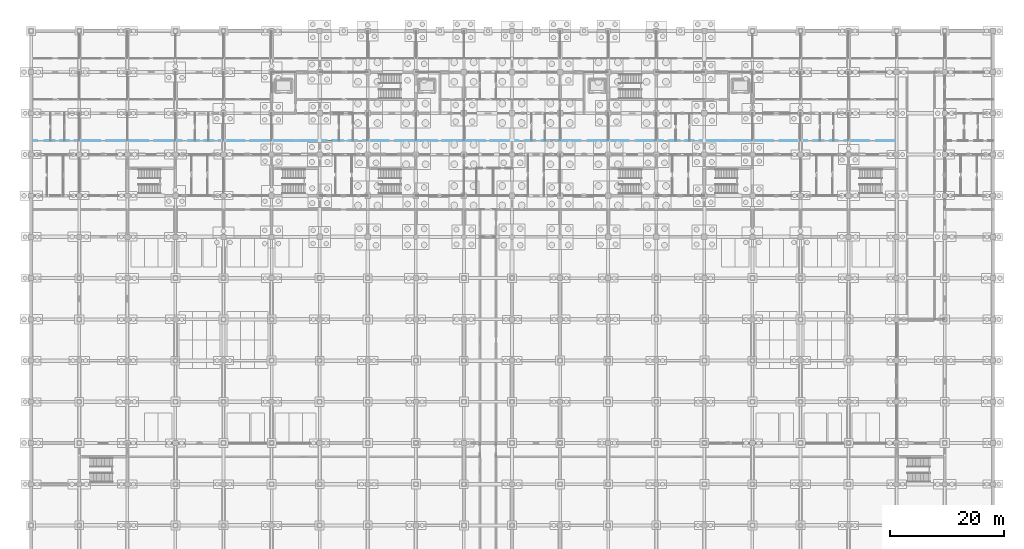
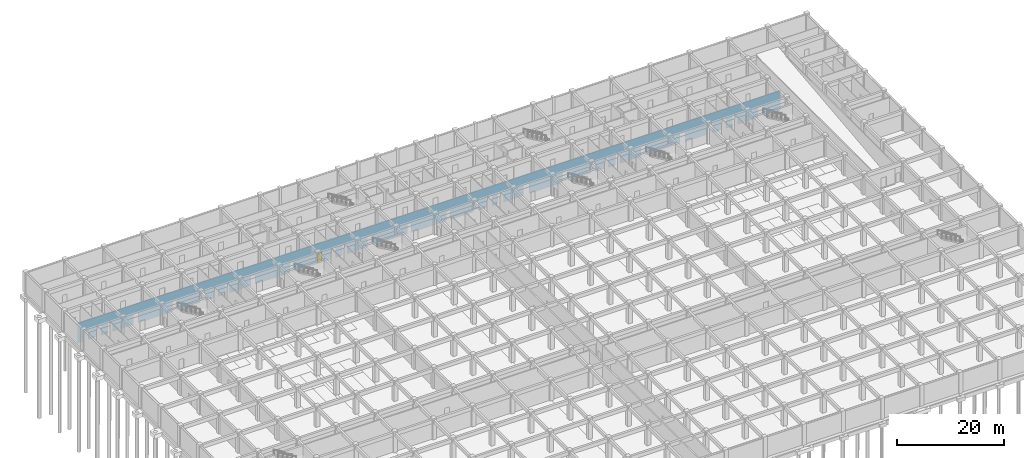
# One storey, part 51 of 85: 1 door, 30 openings, plus 1 element that does not belong to this part.
"""IFC4 building model written with IfcOpenShell, lengths in metres."""

import ifcopenshell
import ifcopenshell.guid

model = None  # the IFC model being written
_history = None  # IfcOwnerHistory: only IFC2X3 demands one
_inside = {}  # id of a spatial element -> (the spatial element, [elements in it])
_under = {}  # id of a project, library or spatial element -> (it, [spatial elements below it])
_declared = {}  # id of a project -> (the project, [libraries it declares])
_typed = {}  # id of a type object -> (the type object, [elements of that type])
_made_of = {}  # id of a material, layer set ... -> (it, [elements and type objects made of it])


def new_model(schema):
    """Start an empty IFC model of exactly this schema.

    Asked for "IFC4X3", IfcOpenShell would pick the latest addendum, in which some entities
    have other attributes; the version numbers below select the first issue.
    IFC2X3 requires an IfcOwnerHistory on every rooted entity: one is made here for all.
    """
    global model, _history
    if schema == "IFC4X3":
        model = ifcopenshell.file(schema_version=(4, 3, 0, 0))
    else:
        model = ifcopenshell.file(schema=schema)
    _inside.clear()
    _under.clear()
    _declared.clear()
    _typed.clear()
    _made_of.clear()
    _history = None
    if model.schema == "IFC2X3":
        org = make("IfcOrganization", Name="unknown")
        user = make(
            "IfcPersonAndOrganization",
            ThePerson=make("IfcPerson", FamilyName="unknown"),
            TheOrganization=org,
        )
        app = make(
            "IfcApplication",
            ApplicationDeveloper=org,
            Version="unknown",
            ApplicationFullName="unknown",
            ApplicationIdentifier="unknown",
        )
        _history = make(
            "IfcOwnerHistory",
            OwningUser=user,
            OwningApplication=app,
            ChangeAction="ADDED",
            CreationDate=0,
        )
    return model


def make(cls, **values):
    """One entity of the class cls with the attributes given. An attribute that is None is left unset."""
    return model.create_entity(
        cls, **{name: value for name, value in values.items() if value is not None}
    )


def rooted(cls, **values):
    """An entity with a GlobalId (a new one), such as an element, a storey or a relation."""
    return make(cls, GlobalId=ifcopenshell.guid.new(), OwnerHistory=_history, **values)


def si_unit(unit_type, name, prefix=None):
    """IfcSIUnit, for example si_unit("LENGTHUNIT", "METRE", prefix="MILLI")."""
    return make("IfcSIUnit", UnitType=unit_type, Prefix=prefix, Name=name)


def assignment(units):
    """IfcUnitAssignment: the units of a project."""
    return None if units is None else make("IfcUnitAssignment", Units=units)


def point(xyz):
    """IfcCartesianPoint."""
    return None if xyz is None else make("IfcCartesianPoint", Coordinates=xyz)


def direction(xyz):
    """IfcDirection."""
    return None if xyz is None else make("IfcDirection", DirectionRatios=xyz)


def frame(location, z_axis=None, x_axis=None):
    """IfcAxis2Placement3D, a coordinate frame: its origin and axes. An axis left out is left unset."""
    return make(
        "IfcAxis2Placement3D",
        Location=point(location),
        Axis=direction(z_axis),
        RefDirection=direction(x_axis),
    )


def frame_2d(location, x_axis=None):
    """IfcAxis2Placement2D, a coordinate frame in the plane: its origin and x axis."""
    return make(
        "IfcAxis2Placement2D", Location=point(location), RefDirection=direction(x_axis)
    )


def origin():
    """The frame at (0, 0, 0) with its axes left unset."""
    return frame((0.0, 0.0, 0.0))


def place(relative_to, where):
    """IfcLocalPlacement: puts the frame where relative to a parent placement (None: the world)."""
    return make(
        "IfcLocalPlacement", PlacementRelTo=relative_to, RelativePlacement=where
    )


def context(
    kind, dimensions, precision=None, world=None, true_north=None, identifier=None
):
    """IfcGeometricRepresentationContext, for example the 3D "Model" context."""
    return make(
        "IfcGeometricRepresentationContext",
        ContextIdentifier=identifier,
        ContextType=kind,
        CoordinateSpaceDimension=dimensions,
        Precision=precision,
        WorldCoordinateSystem=world,
        TrueNorth=true_north,
    )


def subcontext(parent, identifier, kind, view, scale=None):
    """IfcGeometricRepresentationSubContext, for example "Body" below "Model"."""
    return make(
        "IfcGeometricRepresentationSubContext",
        ContextIdentifier=identifier,
        ContextType=kind,
        ParentContext=parent,
        TargetScale=scale,
        TargetView=view,
    )


def project(units=None, contexts=None):
    """IfcProject with its units and contexts."""
    return rooted(
        "IfcProject",
        Name="project",
        RepresentationContexts=contexts,
        UnitsInContext=assignment(units),
    )


def spatial(cls, under=None, at=None, **own):
    """A site, building, storey or space (cls), placed at a placement, below another one or the project."""
    s = rooted(cls, ObjectPlacement=at, **own)
    if under is not None:
        _under.setdefault(under.id(), (under, []))[1].append(s)
    return s


def profile(cls, at=None, kind="AREA", **sizes):
    """A parametric profile (cls). Its sizes go by their IFC names, for example OverallWidth=200.0."""
    return make(cls, ProfileType=kind, Position=at, **sizes)


def rectangle(**sizes):
    """IfcRectangleProfileDef."""
    return profile("IfcRectangleProfileDef", **sizes)


def extrude(swept, where, along, depth):
    """IfcExtrudedAreaSolid: the profile swept, set in the frame where, extruded along a direction by depth."""
    return make(
        "IfcExtrudedAreaSolid",
        SweptArea=swept,
        Position=where,
        ExtrudedDirection=direction(along),
        Depth=depth,
    )


def shape(context_of_items, identifier, shape_type, items):
    """IfcShapeRepresentation: the items that make up one representation, for example the "Body"."""
    return make(
        "IfcShapeRepresentation",
        ContextOfItems=context_of_items,
        RepresentationIdentifier=identifier,
        RepresentationType=shape_type,
        Items=items,
    )


def material(Name=None, Category=None):
    """IfcMaterial."""
    return make("IfcMaterial", Name=Name, Category=Category)


def layer(
    of_material, thickness, ventilated=None, Name=None, Category=None, Priority=None
):
    """IfcMaterialLayer: one layer of a wall or slab, of a material (None: an air gap)."""
    return make(
        "IfcMaterialLayer",
        Material=of_material,
        LayerThickness=thickness,
        IsVentilated=ventilated,
        Name=Name,
        Category=Category,
        Priority=Priority,
    )


def layer_set(layers, Name=None):
    """IfcMaterialLayerSet."""
    return make("IfcMaterialLayerSet", MaterialLayers=layers, LayerSetName=Name)


def made_of(thing, what):
    """Note that an element or type object is made of a material, layer set ...; save() writes the relation."""
    if what is not None:
        _made_of.setdefault(what.id(), (what, []))[1].append(thing)
    return thing


def type_object(cls, material=None, **own):
    """A type object (cls), such as IfcWallType, which elements share."""
    return made_of(rooted(cls, **own), material)


def element(
    cls,
    number,
    at=None,
    inside=None,
    cuts=None,
    type_object=None,
    material=None,
    context=None,
    identifier="Body",
    shape_type=None,
    held_by="IfcProductDefinitionShape",
    body=None,
    shapes=None,
    **own,
):
    """One element of the class cls, such as IfcWall. Its Tag is "e" and its number.

    at: its placement. inside: the storey or other place that contains it. cuts: it is an
    opening in that element (IfcRelVoidsElement). A single representation is given by context,
    identifier, shape_type and body (its items); several are given by shapes. held_by: the class
    of the entity that holds the representations. save() writes the other relations.
    """
    e = rooted(cls, Tag="e%d" % number, ObjectPlacement=at, **own)
    if body is not None:
        shapes = [shape(context, identifier, shape_type, body)]
    if shapes is not None:
        e.Representation = make(held_by, Representations=shapes)
    if inside is not None:
        _inside.setdefault(inside.id(), (inside, []))[1].append(e)
    if cuts is not None:
        rooted(
            "IfcRelVoidsElement", RelatingBuildingElement=cuts, RelatedOpeningElement=e
        )
    if type_object is not None:
        _typed.setdefault(type_object.id(), (type_object, []))[1].append(e)
    return made_of(e, material)


def fill(opening, filler):
    """IfcRelFillsElement: the door or window that sits in an opening."""
    return rooted(
        "IfcRelFillsElement",
        RelatingOpeningElement=opening,
        RelatedBuildingElement=filler,
    )


def aggregate(whole, parts):
    """IfcRelAggregates: a whole, such as a stair, and the parts it consists of."""
    return rooted("IfcRelAggregates", RelatingObject=whole, RelatedObjects=parts)


def save(model, path):
    """Write the relations noted so far, then the file.

    IfcRelAggregates (storeys below a building ...), IfcRelContainedInSpatialStructure (elements
    in a storey), IfcRelDefinesByType, IfcRelAssociatesMaterial and IfcRelDeclares: one each for
    every whole, place, type object, material and project.
    """
    for whole, parts in _under.values():
        aggregate(whole, parts)
    for where, things in _inside.values():
        rooted(
            "IfcRelContainedInSpatialStructure",
            RelatedElements=things,
            RelatingStructure=where,
        )
    for kind, things in _typed.values():
        rooted("IfcRelDefinesByType", RelatedObjects=things, RelatingType=kind)
    for what, things in _made_of.values():
        rooted("IfcRelAssociatesMaterial", RelatedObjects=things, RelatingMaterial=what)
    for by, libraries in _declared.values():
        rooted("IfcRelDeclares", RelatingContext=by, RelatedDefinitions=libraries)
    model.write(path)


model = new_model("IFC4")

# Units and contexts
model_context = context("Model", 3, precision=1e-05, world=origin(), true_north=direction((0.0, 1.0)))
body_context = subcontext(model_context, "Body", "Model", "MODEL_VIEW")
ifc_project = project(units=[si_unit("LENGTHUNIT", "METRE"), si_unit("AREAUNIT", "SQUARE_METRE"), si_unit("VOLUMEUNIT", "CUBIC_METRE"), si_unit("PLANEANGLEUNIT", "RADIAN"), si_unit("MASSUNIT", "GRAM", prefix="KILO")], contexts=[model_context])

# Site, building, storey
site_placement = place(None, origin())
site = spatial("IfcSite", under=ifc_project, at=site_placement, CompositionType="ELEMENT")
building_placement = place(site_placement, origin())
building = spatial("IfcBuilding", under=site, at=building_placement, Name="Chengyuan Square Courthouse", CompositionType="ELEMENT")
storey_placement = place(building_placement, frame((0.0, 0.0, -10.199951171875)))
storey = spatial("IfcBuildingStorey", under=building, at=storey_placement, Name="B02", CompositionType="ELEMENT", Elevation=-10.199951171875)

# Wall, openings, door
ifc_material_1 = material(Name="Gypsum Plasterboard Acoustic Stud Partition")
ifc_layer = layer(ifc_material_1, 0.10009765625)
ifc_layer_set = layer_set([ifc_layer], Name="Gypsum Plasterboard Acoustic Stud Partition")
wall_type = type_object("IfcWallType", Name="WL-PT6", PredefinedType="STANDARD", material=ifc_layer_set)
wall_placement = place(storey_placement, frame((0.0400390625, 96.0, 0.0), z_axis=(0.0, 0.0, 1.0), x_axis=(1.0, 0.0, 0.0)))
wall = element("IfcWall", 1, at=wall_placement, inside=storey, type_object=wall_type, Name="Interior Wall WL-B02-I062", PredefinedType="STANDARD", context=body_context, shape_type="SweptSolid", body=[
    extrude(rectangle(XDim=151.159912109375, YDim=0.10009765625, at=frame_2d((75.580078125, 0.0))), origin(), (0.0, 0.0, 1.0), 4.47998046875),
])
opening_1_placement = place(wall_placement, frame((1.0400390625, 0.0, 0.0)))
element("IfcOpeningElement", 2, at=opening_1_placement, cuts=wall, Name="Opening DR-148", PredefinedType="OPENING", context=body_context, shape_type="SweptSolid", body=[
    extrude(rectangle(XDim=1.280029296875, YDim=2.35009765625, at=frame_2d((0.64013671875, 1.175048828125))), frame((0.0, 0.06201171875, 0.0), z_axis=(0.0, -1.0, 0.0), x_axis=(1.0, 0.0, 0.0)), (0.0, 0.0, 1.0), 0.1240234375),
])
opening_2_placement = place(wall_placement, frame((4.090087890625, 0.0, 0.0)))
element("IfcOpeningElement", 3, at=opening_2_placement, cuts=wall, Name="Opening DR-149", PredefinedType="OPENING", context=body_context, shape_type="SweptSolid", body=[
    extrude(rectangle(XDim=0.93994140625, YDim=2.300048828125, at=frame_2d((0.469970703125, 1.14990234375))), frame((0.0, 0.06201171875, 0.0), z_axis=(0.0, -1.0, 0.0), x_axis=(1.0, 0.0, 0.0)), (0.0, 0.0, 1.0), 0.1240234375),
])
opening_3_placement = place(wall_placement, frame((6.570068359375, 0.0, 0.0)))
element("IfcOpeningElement", 4, at=opening_3_placement, cuts=wall, Name="Opening DR-150", PredefinedType="OPENING", context=body_context, shape_type="SweptSolid", body=[
    extrude(rectangle(XDim=0.97998046875, YDim=2.35009765625, at=frame_2d((0.489990234375, 1.175048828125))), frame((0.0, 0.06201171875, 0.0), z_axis=(0.0, -1.0, 0.0), x_axis=(1.0, 0.0, 0.0)), (0.0, 0.0, 1.0), 0.1240234375),
])
opening_4_placement = place(wall_placement, frame((12.050048828125, 0.0, 0.0)))
element("IfcOpeningElement", 5, at=opening_4_placement, cuts=wall, Name="Opening DR-151", PredefinedType="OPENING", context=body_context, shape_type="SweptSolid", body=[
    extrude(rectangle(XDim=1.02001953125, YDim=2.39990234375, at=frame_2d((0.510009765625, 1.199951171875))), frame((0.0, 0.06201171875, 0.0), z_axis=(0.0, -1.0, 0.0), x_axis=(1.0, 0.0, 0.0)), (0.0, 0.0, 1.0), 0.1240234375),
])
opening_5_placement = place(wall_placement, frame((20.429931640625, 0.0, 0.0)))
element("IfcOpeningElement", 6, at=opening_5_placement, cuts=wall, Name="Opening DR-152", PredefinedType="OPENING", context=body_context, shape_type="SweptSolid", body=[
    extrude(rectangle(XDim=1.06005859375, YDim=2.39990234375, at=frame_2d((0.530029296875, 1.199951171875))), frame((0.0, 0.06201171875, 0.0), z_axis=(0.0, -1.0, 0.0), x_axis=(1.0, 0.0, 0.0)), (0.0, 0.0, 1.0), 0.1240234375),
])
opening_6_placement = place(wall_placement, frame((26.2900390625, 0.0, 0.0)))
element("IfcOpeningElement", 7, at=opening_6_placement, cuts=wall, Name="Opening DR-153", PredefinedType="OPENING", context=body_context, shape_type="SweptSolid", body=[
    extrude(rectangle(XDim=1.139892578125, YDim=2.39990234375, at=frame_2d((0.56982421875, 1.199951171875))), frame((0.0, 0.06201171875, 0.0), z_axis=(0.0, -1.0, 0.0), x_axis=(1.0, 0.0, 0.0)), (0.0, 0.0, 1.0), 0.1240234375),
])
opening_7_placement = place(wall_placement, frame((29.31005859375, 0.0, 0.0)))
element("IfcOpeningElement", 8, at=opening_7_placement, cuts=wall, Name="Opening DR-154", PredefinedType="OPENING", context=body_context, shape_type="SweptSolid", body=[
    extrude(rectangle(XDim=0.89990234375, YDim=2.14990234375, at=frame_2d((0.449951171875, 1.074951171875))), frame((0.0, 0.06201171875, 0.0), z_axis=(0.0, -1.0, 0.0), x_axis=(1.0, 0.0, 0.0)), (0.0, 0.0, 1.0), 0.1240234375),
])
opening_8_placement = place(wall_placement, frame((31.830078125, 0.0, 0.0)))
element("IfcOpeningElement", 9, at=opening_8_placement, cuts=wall, Name="Opening DR-155", PredefinedType="OPENING", context=body_context, shape_type="SweptSolid", body=[
    extrude(rectangle(XDim=0.860107421875, YDim=2.10009765625, at=frame_2d((0.43017578125, 1.050048828125))), frame((0.0, 0.06201171875, 0.0), z_axis=(0.0, -1.0, 0.0), x_axis=(1.0, 0.0, 0.0)), (0.0, 0.0, 1.0), 0.1240234375),
])
opening_9_placement = place(wall_placement, frame((37.300048828125, 0.0, 0.0)))
element("IfcOpeningElement", 10, at=opening_9_placement, cuts=wall, Name="Opening DR-156", PredefinedType="OPENING", context=body_context, shape_type="SweptSolid", body=[
    extrude(rectangle(XDim=0.919921875, YDim=2.14990234375, at=frame_2d((0.4599609375, 1.074951171875))), frame((0.0, 0.06201171875, 0.0), z_axis=(0.0, -1.0, 0.0), x_axis=(1.0, 0.0, 0.0)), (0.0, 0.0, 1.0), 0.1240234375),
])
opening_10_placement = place(wall_placement, frame((45.679931640625, 0.0, 0.0)))
element("IfcOpeningElement", 11, at=opening_10_placement, cuts=wall, Name="Opening DR-157", PredefinedType="OPENING", context=body_context, shape_type="SweptSolid", body=[
    extrude(rectangle(XDim=0.9599609375, YDim=2.199951171875, at=frame_2d((0.47998046875, 1.10009765625))), frame((0.0, 0.06201171875, 0.0), z_axis=(0.0, -1.0, 0.0), x_axis=(1.0, 0.0, 0.0)), (0.0, 0.0, 1.0), 0.1240234375),
])
opening_11_placement = place(wall_placement, frame((51.570068359375, 0.0, 0.0)))
opening_11 = element("IfcOpeningElement", 12, at=opening_11_placement, cuts=wall, Name="Opening DR-167", PredefinedType="OPENING", context=body_context, shape_type="SweptSolid", body=[
    extrude(rectangle(XDim=0.97998046875, YDim=2.35009765625, at=frame_2d((0.489990234375, 1.175048828125))), frame((0.0, 0.06201171875, 0.0), z_axis=(0.0, -1.0, 0.0), x_axis=(1.0, 0.0, 0.0)), (0.0, 0.0, 1.0), 0.1240234375),
])
opening_12_placement = place(wall_placement, frame((54.449951171875, 0.0, 0.0)))
element("IfcOpeningElement", 13, at=opening_12_placement, cuts=wall, Name="Opening DR-168", PredefinedType="OPENING", context=body_context, shape_type="SweptSolid", body=[
    extrude(rectangle(XDim=1.02001953125, YDim=2.39990234375, at=frame_2d((0.510009765625, 1.199951171875))), frame((0.0, 0.06201171875, 0.0), z_axis=(0.0, -1.0, 0.0), x_axis=(1.0, 0.0, 0.0)), (0.0, 0.0, 1.0), 0.1240234375),
])
opening_13_placement = place(wall_placement, frame((56.929931640625, 0.0, 0.0)))
element("IfcOpeningElement", 14, at=opening_13_placement, cuts=wall, Name="Opening DR-169", PredefinedType="OPENING", context=body_context, shape_type="SweptSolid", body=[
    extrude(rectangle(XDim=1.06005859375, YDim=2.39990234375, at=frame_2d((0.530029296875, 1.199951171875))), frame((0.0, 0.06201171875, 0.0), z_axis=(0.0, -1.0, 0.0), x_axis=(1.0, 0.0, 0.0)), (0.0, 0.0, 1.0), 0.1240234375),
])
opening_14_placement = place(wall_placement, frame((62.389892578125, 0.0, 0.0)))
element("IfcOpeningElement", 15, at=opening_14_placement, cuts=wall, Name="Opening DR-170", PredefinedType="OPENING", context=body_context, shape_type="SweptSolid", body=[
    extrude(rectangle(XDim=1.139892578125, YDim=2.39990234375, at=frame_2d((0.56982421875, 1.199951171875))), frame((0.0, 0.06201171875, 0.0), z_axis=(0.0, -1.0, 0.0), x_axis=(1.0, 0.0, 0.0)), (0.0, 0.0, 1.0), 0.1240234375),
])
opening_15_placement = place(wall_placement, frame((70.909912109375, 0.0, 0.0)))
element("IfcOpeningElement", 16, at=opening_15_placement, cuts=wall, Name="Opening DR-171", PredefinedType="OPENING", context=body_context, shape_type="SweptSolid", body=[
    extrude(rectangle(XDim=0.89990234375, YDim=2.14990234375, at=frame_2d((0.449951171875, 1.074951171875))), frame((0.0, 0.06201171875, 0.0), z_axis=(0.0, -1.0, 0.0), x_axis=(1.0, 0.0, 0.0)), (0.0, 0.0, 1.0), 0.1240234375),
])
opening_16_placement = place(wall_placement, frame((79.330078125, 0.0, 0.0)))
element("IfcOpeningElement", 17, at=opening_16_placement, cuts=wall, Name="Opening DR-172", PredefinedType="OPENING", context=body_context, shape_type="SweptSolid", body=[
    extrude(rectangle(XDim=0.860107421875, YDim=2.10009765625, at=frame_2d((0.43017578125, 1.050048828125))), frame((0.0, 0.06201171875, 0.0), z_axis=(0.0, -1.0, 0.0), x_axis=(1.0, 0.0, 0.0)), (0.0, 0.0, 1.0), 0.1240234375),
])
opening_17_placement = place(wall_placement, frame((85.10009765625, 0.0, 0.0)))
element("IfcOpeningElement", 18, at=opening_17_placement, cuts=wall, Name="Opening DR-178", PredefinedType="OPENING", context=body_context, shape_type="SweptSolid", body=[
    extrude(rectangle(XDim=1.1201171875, YDim=2.25, at=frame_2d((0.56005859375, 1.125))), frame((0.0, 0.06201171875, 0.0), z_axis=(0.0, -1.0, 0.0), x_axis=(1.0, 0.0, 0.0)), (0.0, 0.0, 1.0), 0.1240234375),
])
opening_18_placement = place(wall_placement, frame((87.97998046875, 0.0, 0.0)))
element("IfcOpeningElement", 19, at=opening_18_placement, cuts=wall, Name="Opening DR-179", PredefinedType="OPENING", context=body_context, shape_type="SweptSolid", body=[
    extrude(rectangle(XDim=1.159912109375, YDim=2.300048828125, at=frame_2d((0.580078125, 1.14990234375))), frame((0.0, 0.06201171875, 0.0), z_axis=(0.0, -1.0, 0.0), x_axis=(1.0, 0.0, 0.0)), (0.0, 0.0, 1.0), 0.1240234375),
])
opening_19_placement = place(wall_placement, frame((90.4599609375, 0.0, 0.0)))
element("IfcOpeningElement", 20, at=opening_19_placement, cuts=wall, Name="Opening DR-180", PredefinedType="OPENING", context=body_context, shape_type="SweptSolid", body=[
    extrude(rectangle(XDim=1.199951171875, YDim=2.35009765625, at=frame_2d((0.60009765625, 1.175048828125))), frame((0.0, 0.06201171875, 0.0), z_axis=(0.0, -1.0, 0.0), x_axis=(1.0, 0.0, 0.0)), (0.0, 0.0, 1.0), 0.1240234375),
])
opening_20_placement = place(wall_placement, frame((95.93994140625, 0.0, 0.0)))
element("IfcOpeningElement", 21, at=opening_20_placement, cuts=wall, Name="Opening DR-181", PredefinedType="OPENING", context=body_context, shape_type="SweptSolid", body=[
    extrude(rectangle(XDim=1.239990234375, YDim=2.300048828125, at=frame_2d((0.6201171875, 1.14990234375))), frame((0.0, 0.06201171875, 0.0), z_axis=(0.0, -1.0, 0.0), x_axis=(1.0, 0.0, 0.0)), (0.0, 0.0, 1.0), 0.1240234375),
])
opening_21_placement = place(wall_placement, frame((104.320068359375, 0.0, 0.0)))
element("IfcOpeningElement", 22, at=opening_21_placement, cuts=wall, Name="Opening DR-182", PredefinedType="OPENING", context=body_context, shape_type="SweptSolid", body=[
    extrude(rectangle(XDim=1.280029296875, YDim=2.35009765625, at=frame_2d((0.64013671875, 1.175048828125))), frame((0.0, 0.06201171875, 0.0), z_axis=(0.0, -1.0, 0.0), x_axis=(1.0, 0.0, 0.0)), (0.0, 0.0, 1.0), 0.1240234375),
])
opening_22_placement = place(wall_placement, frame((110.389892578125, 0.0, 0.0)))
element("IfcOpeningElement", 23, at=opening_22_placement, cuts=wall, Name="Opening DR-183", PredefinedType="OPENING", context=body_context, shape_type="SweptSolid", body=[
    extrude(rectangle(XDim=0.93994140625, YDim=2.300048828125, at=frame_2d((0.469970703125, 1.14990234375))), frame((0.0, 0.06201171875, 0.0), z_axis=(0.0, -1.0, 0.0), x_axis=(1.0, 0.0, 0.0)), (0.0, 0.0, 1.0), 0.1240234375),
])
opening_23_placement = place(wall_placement, frame((113.27001953125, 0.0, 0.0)))
element("IfcOpeningElement", 24, at=opening_23_placement, cuts=wall, Name="Opening DR-184", PredefinedType="OPENING", context=body_context, shape_type="SweptSolid", body=[
    extrude(rectangle(XDim=0.97998046875, YDim=2.35009765625, at=frame_2d((0.489990234375, 1.175048828125))), frame((0.0, 0.06201171875, 0.0), z_axis=(0.0, -1.0, 0.0), x_axis=(1.0, 0.0, 0.0)), (0.0, 0.0, 1.0), 0.1240234375),
])
opening_24_placement = place(wall_placement, frame((115.75, 0.0, 0.0)))
element("IfcOpeningElement", 25, at=opening_24_placement, cuts=wall, Name="Opening DR-185", PredefinedType="OPENING", context=body_context, shape_type="SweptSolid", body=[
    extrude(rectangle(XDim=1.02001953125, YDim=2.39990234375, at=frame_2d((0.510009765625, 1.199951171875))), frame((0.0, 0.06201171875, 0.0), z_axis=(0.0, -1.0, 0.0), x_axis=(1.0, 0.0, 0.0)), (0.0, 0.0, 1.0), 0.1240234375),
])
opening_25_placement = place(wall_placement, frame((121.239990234375, 0.0, 0.0)))
element("IfcOpeningElement", 26, at=opening_25_placement, cuts=wall, Name="Opening DR-193", PredefinedType="OPENING", context=body_context, shape_type="SweptSolid", body=[
    extrude(rectangle(XDim=1.0400390625, YDim=2.199951171875, at=frame_2d((0.52001953125, 1.10009765625))), frame((0.0, 0.06201171875, 0.0), z_axis=(0.0, -1.0, 0.0), x_axis=(1.0, 0.0, 0.0)), (0.0, 0.0, 1.0), 0.1240234375),
])
opening_26_placement = place(wall_placement, frame((129.6201171875, 0.0, 0.0)))
element("IfcOpeningElement", 27, at=opening_26_placement, cuts=wall, Name="Opening DR-194", PredefinedType="OPENING", context=body_context, shape_type="SweptSolid", body=[
    extrude(rectangle(XDim=1.080078125, YDim=2.25, at=frame_2d((0.5400390625, 1.125))), frame((0.0, 0.06201171875, 0.0), z_axis=(0.0, -1.0, 0.0), x_axis=(1.0, 0.0, 0.0)), (0.0, 0.0, 1.0), 0.1240234375),
])
opening_27_placement = place(wall_placement, frame((135.5, 0.0, 0.0)))
element("IfcOpeningElement", 28, at=opening_27_placement, cuts=wall, Name="Opening DR-195", PredefinedType="OPENING", context=body_context, shape_type="SweptSolid", body=[
    extrude(rectangle(XDim=1.1201171875, YDim=2.25, at=frame_2d((0.56005859375, 1.125))), frame((0.0, 0.06201171875, 0.0), z_axis=(0.0, -1.0, 0.0), x_axis=(1.0, 0.0, 0.0)), (0.0, 0.0, 1.0), 0.1240234375),
])
opening_28_placement = place(wall_placement, frame((138.3798828125, 0.0, 0.0)))
element("IfcOpeningElement", 29, at=opening_28_placement, cuts=wall, Name="Opening DR-196", PredefinedType="OPENING", context=body_context, shape_type="SweptSolid", body=[
    extrude(rectangle(XDim=1.159912109375, YDim=2.300048828125, at=frame_2d((0.580078125, 1.14990234375))), frame((0.0, 0.06201171875, 0.0), z_axis=(0.0, -1.0, 0.0), x_axis=(1.0, 0.0, 0.0)), (0.0, 0.0, 1.0), 0.1240234375),
])
opening_29_placement = place(wall_placement, frame((140.860107421875, 0.0, 0.0)))
element("IfcOpeningElement", 30, at=opening_29_placement, cuts=wall, Name="Opening DR-197", PredefinedType="OPENING", context=body_context, shape_type="SweptSolid", body=[
    extrude(rectangle(XDim=1.199951171875, YDim=2.35009765625, at=frame_2d((0.60009765625, 1.175048828125))), frame((0.0, 0.06201171875, 0.0), z_axis=(0.0, -1.0, 0.0), x_axis=(1.0, 0.0, 0.0)), (0.0, 0.0, 1.0), 0.1240234375),
])
opening_30_placement = place(wall_placement, frame((146.340087890625, 0.0, 0.0)))
element("IfcOpeningElement", 31, at=opening_30_placement, cuts=wall, Name="Opening DR-198", PredefinedType="OPENING", context=body_context, shape_type="SweptSolid", body=[
    extrude(rectangle(XDim=1.239990234375, YDim=2.300048828125, at=frame_2d((0.6201171875, 1.14990234375))), frame((0.0, 0.06201171875, 0.0), z_axis=(0.0, -1.0, 0.0), x_axis=(1.0, 0.0, 0.0)), (0.0, 0.0, 1.0), 0.1240234375),
])
ifc_material_2 = material(Name="Acoustic Solid-Core Timber Door", Category="wood")
door_type = type_object("IfcDoorType", Name="DT-40", OperationType="NOTDEFINED", PredefinedType="DOOR", material=ifc_material_2)
door_placement = place(opening_11_placement, origin())
door = element("IfcDoor", 32, at=door_placement, inside=storey, type_object=door_type, Name="Interior Door DR-167", OperationType="SINGLE_SWING_RIGHT", OverallHeight=2.35009765625, OverallWidth=0.97998046875, PredefinedType="DOOR", context=body_context, shape_type="SweptSolid", body=[
    extrude(rectangle(XDim=0.97998046875, YDim=2.35009765625, at=frame_2d((0.489990234375, 1.175048828125))), frame((0.0, 0.02490234375, 0.0), z_axis=(0.0, -1.0, 0.0), x_axis=(1.0, 0.0, 0.0)), (0.0, 0.0, 1.0), 0.050048828125),
])
fill(opening_11, door)

save(model, "model.ifc")
